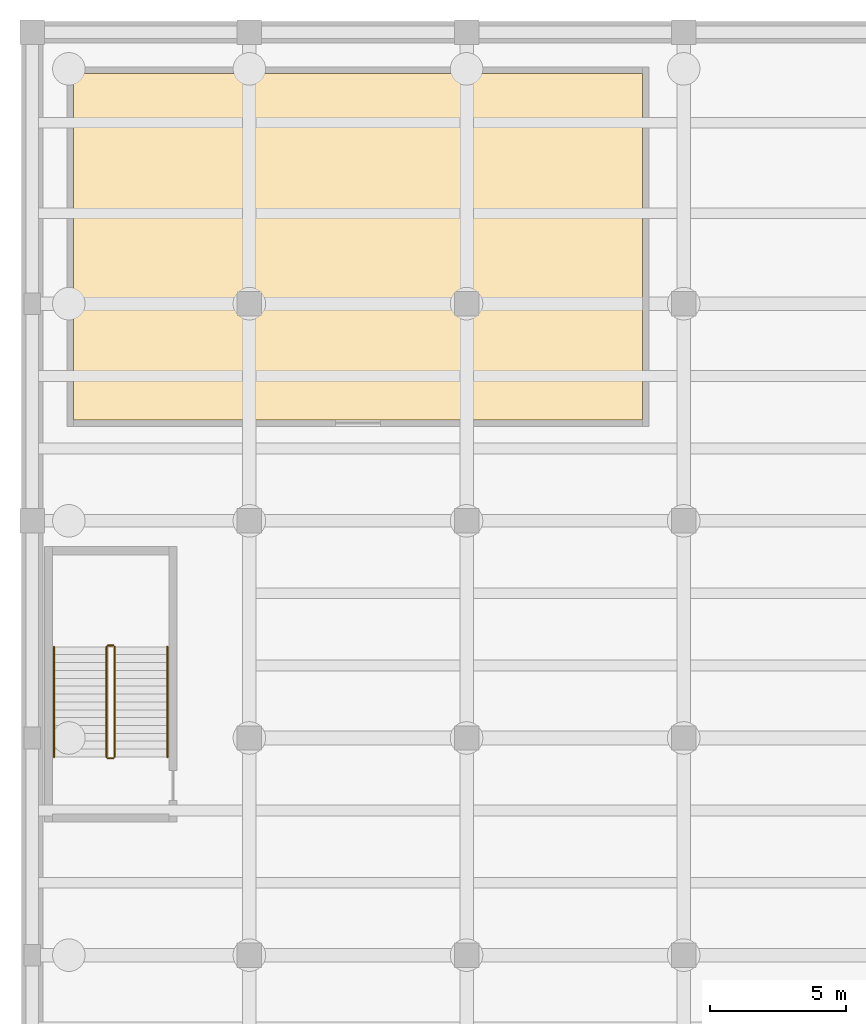
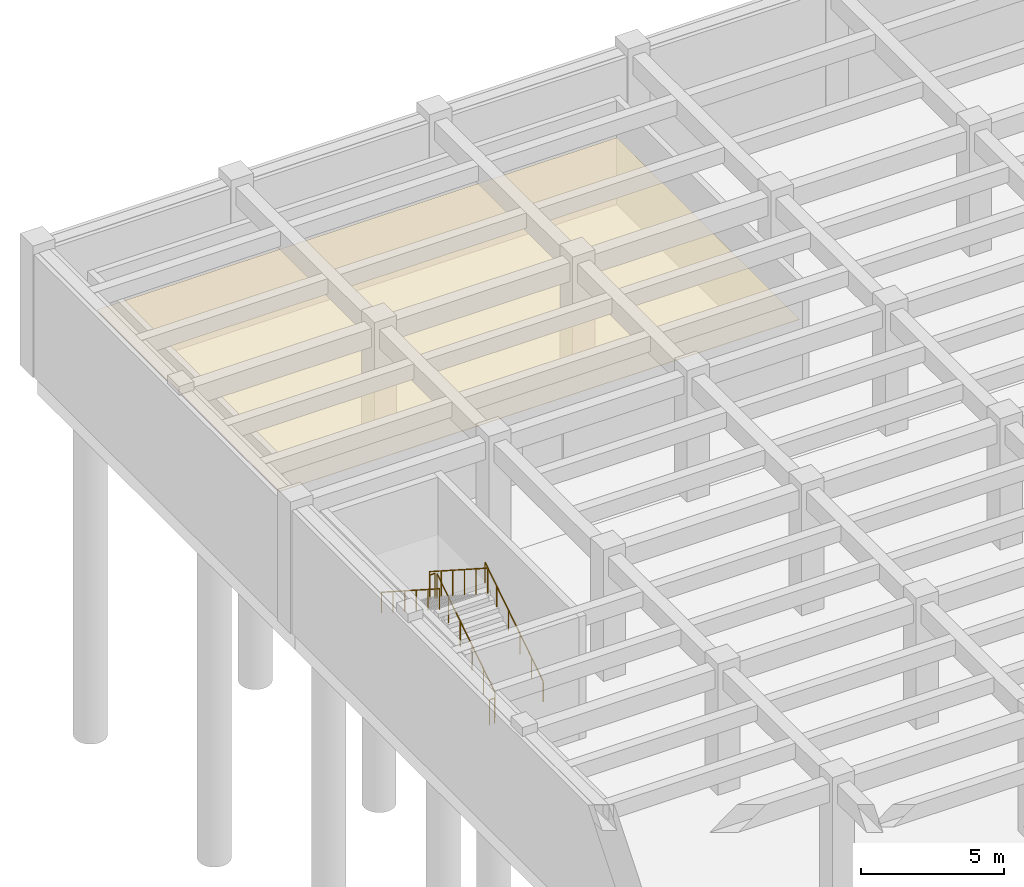
# One storey, part 16 of 18: 6 railings, 1 covering.
"""IFC4 building model written with IfcOpenShell, lengths in metres."""

from ifc_helpers import new_model, si_unit, direction, frame, origin, origin_2d, place, context, subcontext, project, spatial, polyline, circle, outline, extrude, material, layer, layer_set, type_object, element, save


model = new_model("IFC4")

# Units and contexts
model_context = context("Model", 3, precision=1e-05, world=origin(), true_north=direction((0.0, 1.0)))
body_context = subcontext(model_context, "Body", "Model", "MODEL_VIEW")
ifc_project = project(units=[si_unit("LENGTHUNIT", "METRE"), si_unit("AREAUNIT", "SQUARE_METRE"), si_unit("VOLUMEUNIT", "CUBIC_METRE"), si_unit("PLANEANGLEUNIT", "RADIAN"), si_unit("MASSUNIT", "GRAM", prefix="KILO")], contexts=[model_context])

# Site, building, storey
site_placement = place(None, origin())
site = spatial("IfcSite", under=ifc_project, at=site_placement, CompositionType="ELEMENT")
building_placement = place(site_placement, origin())
building = spatial("IfcBuilding", under=site, at=building_placement, Name="Drelvath Fold Interchange", CompositionType="ELEMENT")
storey_placement = place(building_placement, frame((0.0, 0.0, -11.199951171875)))
storey = spatial("IfcBuildingStorey", under=building, at=storey_placement, Name="B2", CompositionType="ELEMENT", Elevation=-11.199951171875)

# Covering
ifc_material_1 = material(Name="Perforated Aluminium Acoustic Ceiling", Category="aluminium")
ifc_layer = layer(ifc_material_1, 0.01806640625, Name="Perforated Aluminium Acoustic Ceiling")
ifc_layer_set = layer_set([ifc_layer], Name="Perforated Aluminium Acoustic Ceiling")
covering_type = type_object("IfcCoveringType", Name="CV-CEIL-AL18", PredefinedType="CEILING", material=ifc_layer_set)
covering_placement = place(storey_placement, frame((0.0, 0.0, 2.829833984375)))
element("IfcCovering", 1, at=covering_placement, inside=storey, type_object=covering_type, Name="North Tunnel Exhaust Fan Plant acoustic ceiling", PredefinedType="CEILING", context=body_context, shape_type="SweptSolid", body=[
    extrude(outline(polyline([(5.512939453125, 102.7119140625), (26.488037109375, 102.7119140625), (26.488037109375, 115.487060546875), (5.512939453125, 115.487060546875), (5.512939453125, 102.7119140625)])), origin(), (0.0, 0.0, 1.0), 0.02001953125),
])

# Railings
ifc_material_2 = material(Name="Stainless Steel 316L", Category="steel")
railing_type_1 = type_object("IfcRailingType", Name="RL-GRD1100", PredefinedType="GUARDRAIL", material=ifc_material_2)
railing_1_placement = place(storey_placement, frame((7.0400390625, 90.300048828125, 0.1865234375)))
element("IfcRailing", 2, at=railing_1_placement, inside=storey, type_object=railing_type_1, Name="B2 ST-05 stair guard 1", PredefinedType="GUARDRAIL", context=body_context, shape_type="SweptSolid", body=[
    extrude(circle(Radius=0.02392578125, at=origin_2d()), frame((0.0, 0.0, 1.076171875), z_axis=(0.0, 0.840849756928, 0.541268589772), x_axis=(-1.0, 0.0, 0.0)), (0.0, 0.0, 1.0), 4.82861328125),
    extrude(circle(Radius=0.02099609375, at=origin_2d()), origin(), (0.0, 0.0, 1.0), 1.052001953125),
    extrude(circle(Radius=0.02099609375, at=origin_2d()), frame((0.0, 0.81201171875, 0.522705078125)), (0.0, 0.0, 1.0), 1.052001953125),
    extrude(circle(Radius=0.02099609375, at=origin_2d()), frame((0.0, 1.6240234375, 1.04541015625)), (0.0, 0.0, 1.0), 1.052001953125),
    extrude(circle(Radius=0.02099609375, at=origin_2d()), frame((0.0, 2.43603515625, 1.568115234375)), (0.0, 0.0, 1.0), 1.052001953125),
    extrude(circle(Radius=0.02099609375, at=origin_2d()), frame((0.0, 3.248046875, 2.0908203125)), (0.0, 0.0, 1.0), 1.052001953125),
    extrude(circle(Radius=0.02099609375, at=origin_2d()), frame((0.0, 4.06005859375, 2.613525390625)), (0.0, 0.0, 1.0), 1.052001953125),
])
railing_2_placement = place(storey_placement, frame((6.989990234375, 94.409912109375, 2.800048828125)))
element("IfcRailing", 3, at=railing_2_placement, inside=storey, type_object=railing_type_1, Name="B2 ST-05 stair guard 2", PredefinedType="GUARDRAIL", context=body_context, shape_type="SweptSolid", body=[
    extrude(circle(Radius=0.02392578125, at=origin_2d()), frame((0.0, 0.0, 1.076171875), z_axis=(-1.0, 0.0, 0.0), x_axis=(0.0, -1.0, 0.0)), (0.0, 0.0, 1.0), 0.199951171875),
    extrude(circle(Radius=0.02099609375, at=origin_2d()), origin(), (0.0, 0.0, 1.0), 1.052001953125),
    extrude(circle(Radius=0.02099609375, at=origin_2d()), frame((-0.199951171875, 0.0, 0.0)), (0.0, 0.0, 1.0), 1.052001953125),
])
railing_3_placement = place(storey_placement, frame((6.739990234375, 94.360107421875, 2.986572265625)))
element("IfcRailing", 4, at=railing_3_placement, inside=storey, type_object=railing_type_1, Name="B2 ST-05 stair guard 3", PredefinedType="GUARDRAIL", context=body_context, shape_type="SweptSolid", body=[
    extrude(circle(Radius=0.02392578125, at=origin_2d()), frame((0.0, 0.0, 1.076171875), z_axis=(0.0, -0.840872768958, 0.541232839382), x_axis=(1.0, 0.0, 0.0)), (0.0, 0.0, 1.0), 4.828369140625),
    extrude(circle(Radius=0.02099609375, at=origin_2d()), origin(), (0.0, 0.0, 1.0), 1.052001953125),
    extrude(circle(Radius=0.02099609375, at=origin_2d()), frame((0.0, -0.81201171875, 0.522705078125)), (0.0, 0.0, 1.0), 1.052001953125),
    extrude(circle(Radius=0.02099609375, at=origin_2d()), frame((0.0, -1.6240234375, 1.04541015625)), (0.0, 0.0, 1.0), 1.052001953125),
    extrude(circle(Radius=0.02099609375, at=origin_2d()), frame((0.0, -2.43603515625, 1.56787109375)), (0.0, 0.0, 1.0), 1.052001953125),
    extrude(circle(Radius=0.02099609375, at=origin_2d()), frame((0.0, -3.248046875, 2.090576171875)), (0.0, 0.0, 1.0), 1.052001953125),
    extrude(circle(Radius=0.02099609375, at=origin_2d()), frame((0.0, -4.06005859375, 2.61328125)), (0.0, 0.0, 1.0), 1.052001953125),
])
railing_4_placement = place(storey_placement, frame((6.989990234375, 90.25, 0.0)))
element("IfcRailing", 5, at=railing_4_placement, inside=storey, type_object=railing_type_1, Name="B2 ST-05 stair guard 4", PredefinedType="GUARDRAIL", context=body_context, shape_type="SweptSolid", body=[
    extrude(circle(Radius=0.02392578125, at=origin_2d()), frame((0.0, 0.0, 1.076171875), z_axis=(-1.0, 0.0, 0.0), x_axis=(0.0, -1.0, 0.0)), (0.0, 0.0, 1.0), 0.199951171875),
    extrude(circle(Radius=0.02099609375, at=origin_2d()), origin(), (0.0, 0.0, 1.0), 1.052001953125),
    extrude(circle(Radius=0.02099609375, at=origin_2d()), frame((-0.199951171875, 0.0, 0.0)), (0.0, 0.0, 1.0), 1.052001953125),
])
railing_type_2 = type_object("IfcRailingType", Name="RL-HND920", PredefinedType="HANDRAIL", material=ifc_material_2)
railing_5_placement = place(storey_placement, frame((8.97998046875, 90.300048828125, 0.1865234375)))
element("IfcRailing", 6, at=railing_5_placement, inside=storey, type_object=railing_type_2, Name="B2 ST-05 stair handrail 1", PredefinedType="HANDRAIL", context=body_context, shape_type="SweptSolid", body=[
    extrude(circle(Radius=0.02392578125, at=origin_2d()), frame((0.0, 0.0, 0.8759765625), z_axis=(0.0, 0.840849756928, 0.541268589772), x_axis=(-1.0, 0.0, 0.0)), (0.0, 0.0, 1.0), 4.82861328125),
    extrude(circle(Radius=0.02099609375, at=origin_2d()), origin(), (0.0, 0.0, 1.0), 0.851806640625),
    extrude(circle(Radius=0.02099609375, at=origin_2d()), frame((0.0, 0.81201171875, 0.522705078125)), (0.0, 0.0, 1.0), 0.851806640625),
    extrude(circle(Radius=0.02099609375, at=origin_2d()), frame((0.0, 1.6240234375, 1.04541015625)), (0.0, 0.0, 1.0), 0.851806640625),
    extrude(circle(Radius=0.02099609375, at=origin_2d()), frame((0.0, 2.43603515625, 1.568115234375)), (0.0, 0.0, 1.0), 0.851806640625),
    extrude(circle(Radius=0.02099609375, at=origin_2d()), frame((0.0, 3.248046875, 2.0908203125)), (0.0, 0.0, 1.0), 0.851806640625),
    extrude(circle(Radius=0.02099609375, at=origin_2d()), frame((0.0, 4.06005859375, 2.613525390625)), (0.0, 0.0, 1.0), 0.851806640625),
])
railing_6_placement = place(storey_placement, frame((4.800048828125, 94.360107421875, 2.986572265625)))
element("IfcRailing", 7, at=railing_6_placement, inside=storey, type_object=railing_type_2, Name="B2 ST-05 stair handrail 2", PredefinedType="HANDRAIL", context=body_context, shape_type="SweptSolid", body=[
    extrude(circle(Radius=0.02392578125, at=origin_2d()), frame((0.0, 0.0, 0.8759765625), z_axis=(0.0, -0.840872768958, 0.541232839382), x_axis=(1.0, 0.0, 0.0)), (0.0, 0.0, 1.0), 4.828369140625),
    extrude(circle(Radius=0.02099609375, at=origin_2d()), origin(), (0.0, 0.0, 1.0), 0.851806640625),
    extrude(circle(Radius=0.02099609375, at=origin_2d()), frame((0.0, -0.81201171875, 0.522705078125)), (0.0, 0.0, 1.0), 0.851806640625),
    extrude(circle(Radius=0.02099609375, at=origin_2d()), frame((0.0, -1.6240234375, 1.04541015625)), (0.0, 0.0, 1.0), 0.851806640625),
    extrude(circle(Radius=0.02099609375, at=origin_2d()), frame((0.0, -2.43603515625, 1.56787109375)), (0.0, 0.0, 1.0), 0.851806640625),
    extrude(circle(Radius=0.02099609375, at=origin_2d()), frame((0.0, -3.248046875, 2.090576171875)), (0.0, 0.0, 1.0), 0.851806640625),
    extrude(circle(Radius=0.02099609375, at=origin_2d()), frame((0.0, -4.06005859375, 2.61328125)), (0.0, 0.0, 1.0), 0.851806640625),
])

save(model, "model.ifc")
